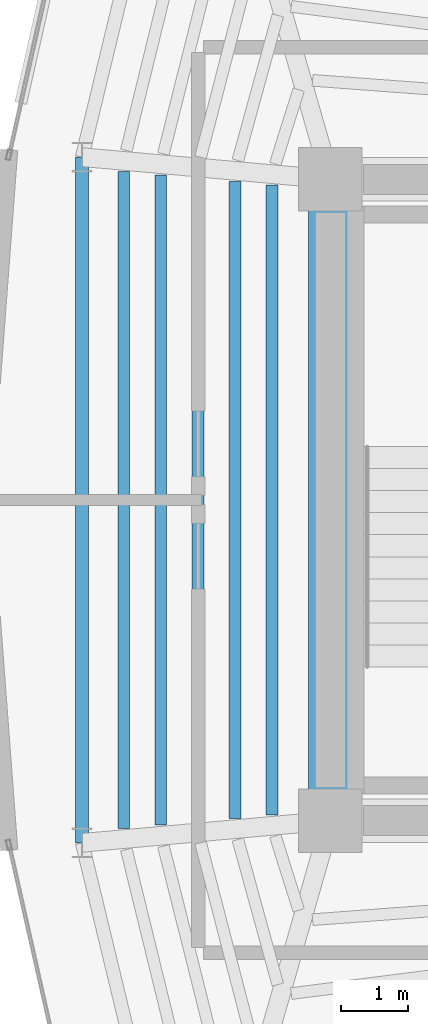
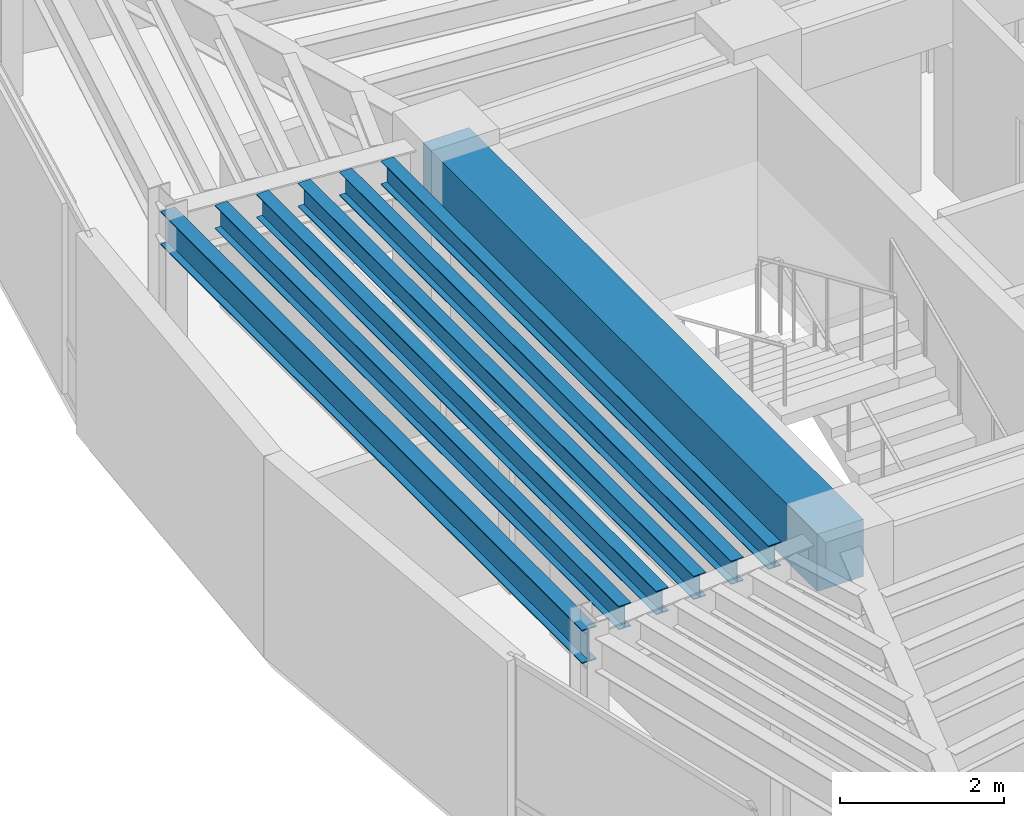
# One storey, part 4 of 14: 7 beams.
"""IFC4 building model written with IfcOpenShell, lengths in metres."""

from ifc_helpers import new_model, si_unit, direction, frame, origin, origin_2d, place, context, subcontext, project, spatial, rectangle, i_section, extrude, material, material_profile, profile_set, type_object, element, save


model = new_model("IFC4")

# Units and contexts
model_context = context("Model", 3, precision=1e-05, world=origin(), true_north=direction((0.0, 1.0)))
body_context = subcontext(model_context, "Body", "Model", "MODEL_VIEW")
ifc_project = project(units=[si_unit("LENGTHUNIT", "METRE"), si_unit("AREAUNIT", "SQUARE_METRE"), si_unit("VOLUMEUNIT", "CUBIC_METRE"), si_unit("PLANEANGLEUNIT", "RADIAN"), si_unit("MASSUNIT", "GRAM", prefix="KILO")], contexts=[model_context])

# Site, building, storey
site_placement = place(None, origin())
site = spatial("IfcSite", under=ifc_project, at=site_placement, CompositionType="ELEMENT")
building_placement = place(site_placement, origin())
building = spatial("IfcBuilding", under=site, at=building_placement, Name="Menara Vayukalpa", CompositionType="ELEMENT")
storey_placement = place(building_placement, frame((0.0, 0.0, 305.6201171875)))
storey = spatial("IfcBuildingStorey", under=building, at=storey_placement, Name="L78", CompositionType="ELEMENT", Elevation=305.6201171875)

# Beams
ifc_material_1 = material(Name="Concrete C60/75", Category="concrete")
ifc_material_profile_1 = material_profile(ifc_material_1, rectangle(XDim=0.64990234375, YDim=0.85009765625, at=origin_2d()), Name="RC 650x850")
ifc_profile_set_1 = profile_set([ifc_material_profile_1], Name="Concrete C60/75")
beam_type_1 = type_object("IfcBeamType", Name="BM-CB1", PredefinedType="BEAM", material=ifc_profile_set_1)
beam_1_placement = place(storey_placement, frame((17.800048828125, 17.199951171875, 2.554931640625), z_axis=(0.0, 1.0, 0.0), x_axis=(-1.0, 0.0, 0.0)))
element("IfcBeam", 1, at=beam_1_placement, inside=storey, type_object=beam_type_1, Name="L78 Core Tie Beam CBR7", PredefinedType="BEAM", context=body_context, shape_type="SweptSolid", body=[
    extrude(rectangle(XDim=0.64990234375, YDim=0.85009765625, at=origin_2d()), origin(), (0.0, 0.0, 1.0), 9.60009765625),
])
ifc_material_2 = material(Name="Steel S355", Category="steel")
ifc_material_profile_2 = material_profile(ifc_material_2, i_section(OverallWidth=0.175048828125, OverallDepth=0.35009765625, WebThickness=0.007080078125, FlangeThickness=0.010986328125, at=origin_2d()), Name="WF 350x175x7x11")
ifc_profile_set_2 = profile_set([ifc_material_profile_2], Name="Steel S355")
beam_type_2 = type_object("IfcBeamType", Name="BM-SJ3", PredefinedType="JOIST", material=ifc_profile_set_2)
beam_2_placement = place(storey_placement, frame((16.926513671875, 26.71826171875, 2.804931640625), z_axis=(0.0, -1.0, 0.0), x_axis=(1.0, 0.0, 0.0)))
element("IfcBeam", 2, at=beam_2_placement, inside=storey, type_object=beam_type_2, Name="L78 Secondary Floor Joist SJ05-1", PredefinedType="JOIST", context=body_context, shape_type="SweptSolid", body=[
    extrude(i_section(OverallWidth=0.175048828125, OverallDepth=0.35009765625, WebThickness=0.007080078125, FlangeThickness=0.010986328125, at=origin_2d()), origin(), (0.0, 0.0, 1.0), 9.4365234375),
])
beam_3_placement = place(storey_placement, frame((16.371337890625, 26.767822265625, 2.804931640625), z_axis=(0.0, -1.0, 0.0), x_axis=(1.0, 0.0, 0.0)))
element("IfcBeam", 3, at=beam_3_placement, inside=storey, type_object=beam_type_2, Name="L78 Secondary Floor Joist SJ05-2", PredefinedType="JOIST", context=body_context, shape_type="SweptSolid", body=[
    extrude(i_section(OverallWidth=0.175048828125, OverallDepth=0.35009765625, WebThickness=0.007080078125, FlangeThickness=0.010986328125, at=origin_2d()), origin(), (0.0, 0.0, 1.0), 9.53564453125),
])
beam_4_placement = place(storey_placement, frame((15.816162109375, 26.817626953125, 2.804931640625), z_axis=(0.0, -1.0, 0.0), x_axis=(1.0, 0.0, 0.0)))
element("IfcBeam", 4, at=beam_4_placement, inside=storey, type_object=beam_type_2, Name="L78 Secondary Floor Joist SJ05-3", PredefinedType="JOIST", context=body_context, shape_type="SweptSolid", body=[
    extrude(i_section(OverallWidth=0.175048828125, OverallDepth=0.35009765625, WebThickness=0.007080078125, FlangeThickness=0.010986328125, at=origin_2d()), origin(), (0.0, 0.0, 1.0), 9.63525390625),
])
beam_5_placement = place(storey_placement, frame((15.260986328125, 26.8671875, 2.804931640625), z_axis=(0.0, -1.0, 0.0), x_axis=(1.0, 0.0, 0.0)))
element("IfcBeam", 5, at=beam_5_placement, inside=storey, type_object=beam_type_2, Name="L78 Secondary Floor Joist SJ05-4", PredefinedType="JOIST", context=body_context, shape_type="SweptSolid", body=[
    extrude(i_section(OverallWidth=0.175048828125, OverallDepth=0.35009765625, WebThickness=0.007080078125, FlangeThickness=0.010986328125, at=origin_2d()), origin(), (0.0, 0.0, 1.0), 9.734375),
])
beam_6_placement = place(storey_placement, frame((14.705810546875, 26.9169921875, 2.804931640625), z_axis=(0.0, -1.0, 0.0), x_axis=(1.0, 0.0, 0.0)))
element("IfcBeam", 6, at=beam_6_placement, inside=storey, type_object=beam_type_2, Name="L78 Secondary Floor Joist SJ05-5", PredefinedType="JOIST", context=body_context, shape_type="SweptSolid", body=[
    extrude(i_section(OverallWidth=0.175048828125, OverallDepth=0.35009765625, WebThickness=0.007080078125, FlangeThickness=0.010986328125, at=origin_2d()), origin(), (0.0, 0.0, 1.0), 9.833984375),
])
ifc_material_3 = material(Name="Steel S355", Category="steel")
ifc_material_profile_3 = material_profile(ifc_material_3, i_section(OverallWidth=0.199951171875, OverallDepth=0.5, WebThickness=0.010009765625, FlangeThickness=0.01611328125, at=origin_2d()), Name="WF 500x200x10x16")
ifc_profile_set_3 = profile_set([ifc_material_profile_3], Name="Steel S355")
beam_type_3 = type_object("IfcBeamType", Name="BM-SP3", PredefinedType="SPANDREL", material=ifc_profile_set_3)
beam_7_placement = place(storey_placement, frame((14.081298828125, 27.1328125, 2.72998046875), z_axis=(0.0, -1.0, 0.0), x_axis=(1.0, 0.0, 0.0)))
element("IfcBeam", 7, at=beam_7_placement, inside=storey, type_object=beam_type_3, Name="L78 Perimeter Spandrel Beam SP05", PredefinedType="SPANDREL", context=body_context, shape_type="SweptSolid", body=[
    extrude(i_section(OverallWidth=0.199951171875, OverallDepth=0.5, WebThickness=0.010009765625, FlangeThickness=0.01611328125, at=origin_2d()), origin(), (0.0, 0.0, 1.0), 10.265625),
])

save(model, "model.ifc")
